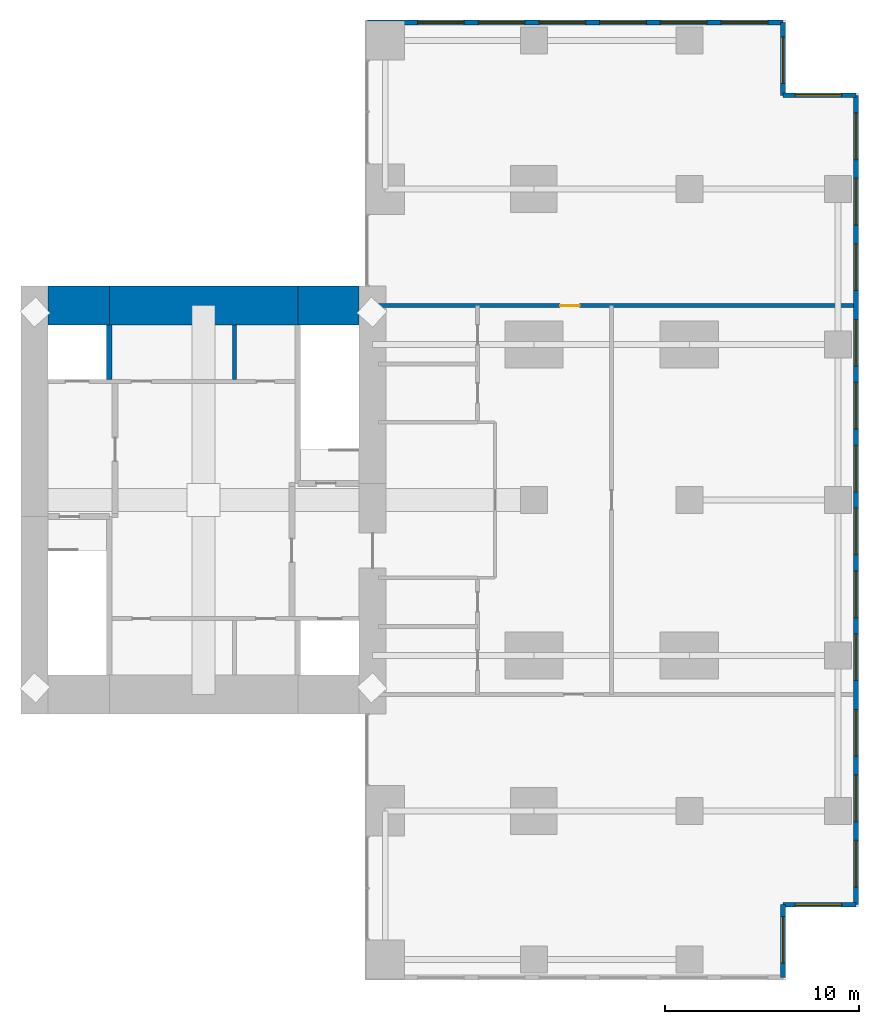
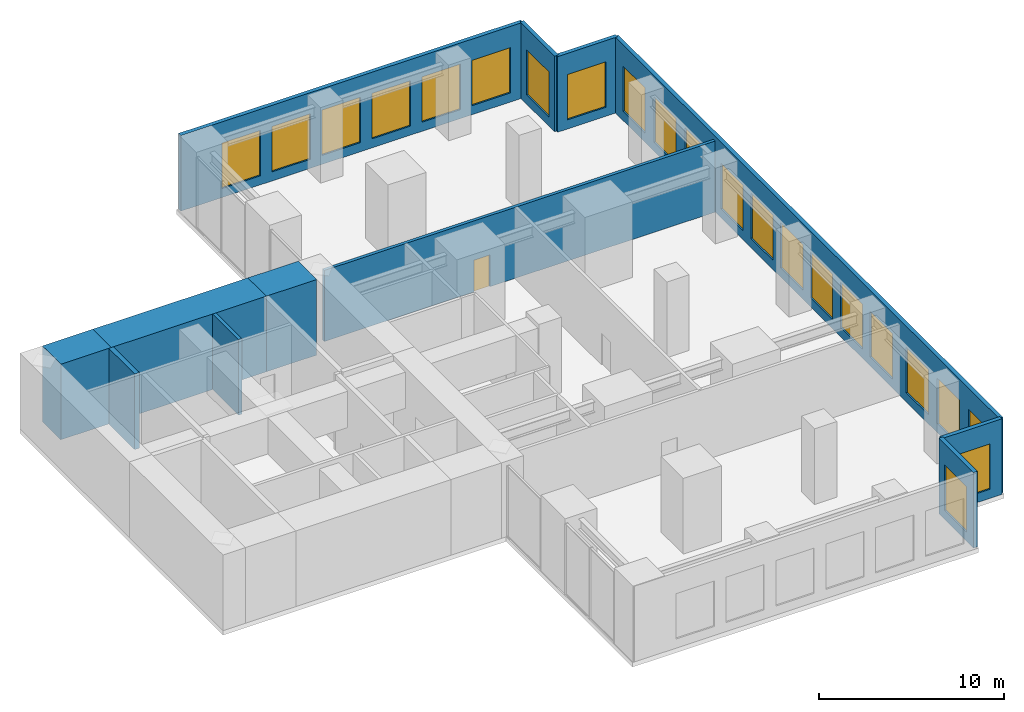
# One storey, part 6 of 7: 22 windows, 12 walls, 1 door, 23 openings.
"""IFC4 building model written with IfcOpenShell, lengths in metres."""

from ifc_helpers import new_model, si_unit, direction, frame, frame_2d, origin, place, context, subcontext, project, spatial, rectangle, extrude, material, layer, layer_set, type_object, element, fill, save


model = new_model("IFC4")

# Units and contexts
model_context = context("Model", 3, precision=1e-05, world=origin(), true_north=direction((0.0, 1.0)))
body_context = subcontext(model_context, "Body", "Model", "MODEL_VIEW")
ifc_project = project(units=[si_unit("LENGTHUNIT", "METRE"), si_unit("AREAUNIT", "SQUARE_METRE"), si_unit("VOLUMEUNIT", "CUBIC_METRE"), si_unit("PLANEANGLEUNIT", "RADIAN"), si_unit("MASSUNIT", "GRAM", prefix="KILO")], contexts=[model_context])

# Site, building, storey
site_placement = place(None, origin())
site = spatial("IfcSite", under=ifc_project, at=site_placement, CompositionType="ELEMENT")
building_placement = place(site_placement, origin())
building = spatial("IfcBuilding", under=site, at=building_placement, Name="Cleftline Residences", CompositionType="ELEMENT")
storey_placement = place(building_placement, frame((0.0, 0.0, 296.60009765625)))
storey = spatial("IfcBuildingStorey", under=building, at=storey_placement, Name="L77", CompositionType="ELEMENT", Elevation=296.60009765625)

# Walls
ifc_material_1 = material(Name="Concrete B70", Category="concrete")
ifc_layer_1 = layer(ifc_material_1, 2.0)
ifc_layer_set_1 = layer_set([ifc_layer_1], Name="CORE WALL 2000")
wall_type_1 = type_object("IfcWallType", Name="CORE WALL 2000", PredefinedType="SHEAR", material=ifc_layer_set_1)
wall_1_placement = place(storey_placement, frame((25.0, 34.0, 0.0), z_axis=(0.0, 0.0, 1.0), x_axis=(1.0, 0.0, 0.0)))
element("IfcWall", 1, at=wall_1_placement, inside=storey, type_object=wall_type_1, Name="Core wall N1", PredefinedType="SHEAR", context=body_context, shape_type="SweptSolid", body=[
    extrude(rectangle(XDim=3.14990234375, YDim=2.0, at=frame_2d((1.574951171875, 0.0))), origin(), (0.0, 0.0, 1.0), 5.0),
])
wall_2_placement = place(storey_placement, frame((28.14990234375, 34.0, 0.0), z_axis=(0.0, 0.0, 1.0), x_axis=(1.0, 0.0, 0.0)))
element("IfcWall", 2, at=wall_2_placement, inside=storey, type_object=wall_type_1, Name="Core wall N2", PredefinedType="SHEAR", context=body_context, shape_type="SweptSolid", body=[
    extrude(rectangle(XDim=9.7001953125, YDim=2.0, at=frame_2d((4.85009765625, 0.0))), origin(), (0.0, 0.0, 1.0), 5.0),
])
wall_3_placement = place(storey_placement, frame((37.85009765625, 34.0, 0.0), z_axis=(0.0, 0.0, 1.0), x_axis=(1.0, 0.0, 0.0)))
element("IfcWall", 3, at=wall_3_placement, inside=storey, type_object=wall_type_1, Name="Core wall N3", PredefinedType="SHEAR", context=body_context, shape_type="SweptSolid", body=[
    extrude(rectangle(XDim=3.14990234375, YDim=2.0, at=frame_2d((1.574951171875, 0.0))), origin(), (0.0, 0.0, 1.0), 5.0),
])
ifc_material_2 = material(Name="Concrete B70", Category="concrete")
ifc_layer_2 = layer(ifc_material_2, 0.300048828125)
ifc_layer_set_2 = layer_set([ifc_layer_2], Name="CORE WALL 300")
wall_type_2 = type_object("IfcWallType", Name="CORE WALL 300", PredefinedType="SHEAR", material=ifc_layer_set_2)
wall_4_placement = place(storey_placement, frame((28.14990234375, 30.199951171875, 0.0), z_axis=(0.0, 0.0, 1.0), x_axis=(0.0, 1.0, 0.0)))
element("IfcWall", 4, at=wall_4_placement, inside=storey, type_object=wall_type_2, Name="Lift shaft wall", PredefinedType="SHEAR", context=body_context, shape_type="SweptSolid", body=[
    extrude(rectangle(XDim=2.800048828125, YDim=0.300048828125, at=frame_2d((1.39990234375, 0.0))), origin(), (0.0, 0.0, 1.0), 5.0),
])

# Wall, opening, window
ifc_material_3 = material(Name="Rendered reinforced concrete blockwork", Category="masonry")
ifc_layer_3 = layer(ifc_material_3, 0.25)
ifc_layer_set_3 = layer_set([ifc_layer_3], Name="EXTERNAL WALL 250")
wall_type_3 = type_object("IfcWallType", Name="EXTERNAL WALL 250", PredefinedType="SOLIDWALL", material=ifc_layer_set_3)
wall_5_placement = place(storey_placement, frame((62.824951171875, -0.574951171875, 0.0), z_axis=(0.0, 0.0, 1.0), x_axis=(0.0, 1.0, 0.0)))
wall_5 = element("IfcWall", 5, at=wall_5_placement, inside=storey, type_object=wall_type_3, Name="External wall", PredefinedType="SOLIDWALL", context=body_context, shape_type="SweptSolid", body=[
    extrude(rectangle(XDim=3.75, YDim=0.25, at=frame_2d((1.875, 0.0))), origin(), (0.0, 0.0, 1.0), 5.0),
])
opening_1_placement = place(wall_5_placement, frame((0.737548828125, 0.0, 0.60009765625)))
opening_1 = element("IfcOpeningElement", 6, at=opening_1_placement, cuts=wall_5, Name="Opening W3", PredefinedType="OPENING", context=body_context, shape_type="SweptSolid", body=[
    extrude(rectangle(XDim=2.39990234375, YDim=3.0, at=frame_2d((1.199951171875, 1.5))), frame((0.0, 0.135009765625, 0.0), z_axis=(0.0, -1.0, 0.0), x_axis=(1.0, 0.0, 0.0)), (0.0, 0.0, 1.0), 0.27001953125),
])
ifc_material_4 = material(Name="Aluminium frame, clear double glazing", Category="aluminium")
window_type = type_object("IfcWindowType", Name="WINDOW 2400X3000", PartitioningType="DOUBLE_PANEL_VERTICAL", PredefinedType="WINDOW", material=ifc_material_4)
window_1_placement = place(opening_1_placement, origin())
window_1 = element("IfcWindow", 7, at=window_1_placement, inside=storey, type_object=window_type, Name="Window", OverallHeight=3.0, OverallWidth=2.39990234375, PartitioningType="SINGLE_PANEL", PredefinedType="WINDOW", context=body_context, shape_type="SweptSolid", body=[
    extrude(rectangle(XDim=2.39990234375, YDim=3.0, at=frame_2d((1.199951171875, 1.5))), frame((0.0, 0.030029296875, 0.0), z_axis=(0.0, -1.0, 0.0), x_axis=(1.0, 0.0, 0.0)), (0.0, 0.0, 1.0), 0.06005859375),
])
fill(opening_1, window_1)

wall_6_placement = place(storey_placement, frame((62.824951171875, 3.175048828125, 0.0), z_axis=(0.0, 0.0, 1.0), x_axis=(1.0, 0.0, 0.0)))
wall_6 = element("IfcWall", 8, at=wall_6_placement, inside=storey, type_object=wall_type_3, Name="External wall", PredefinedType="SOLIDWALL", context=body_context, shape_type="SweptSolid", body=[
    extrude(rectangle(XDim=3.75, YDim=0.25, at=frame_2d((1.875, 0.0))), origin(), (0.0, 0.0, 1.0), 5.0),
])
opening_2_placement = place(wall_6_placement, frame((0.612548828125, 0.0, 0.60009765625)))
opening_2 = element("IfcOpeningElement", 9, at=opening_2_placement, cuts=wall_6, Name="Opening W3", PredefinedType="OPENING", context=body_context, shape_type="SweptSolid", body=[
    extrude(rectangle(XDim=2.39990234375, YDim=3.0, at=frame_2d((1.199951171875, 1.5))), frame((0.0, 0.135009765625, 0.0), z_axis=(0.0, -1.0, 0.0), x_axis=(1.0, 0.0, 0.0)), (0.0, 0.0, 1.0), 0.27001953125),
])
window_2_placement = place(opening_2_placement, origin())
window_2 = element("IfcWindow", 10, at=window_2_placement, inside=storey, type_object=window_type, Name="Window", OverallHeight=3.0, OverallWidth=2.39990234375, PartitioningType="SINGLE_PANEL", PredefinedType="WINDOW", context=body_context, shape_type="SweptSolid", body=[
    extrude(rectangle(XDim=2.39990234375, YDim=3.0, at=frame_2d((1.199951171875, 1.5))), frame((0.0, 0.030029296875, 0.0), z_axis=(0.0, -1.0, 0.0), x_axis=(1.0, 0.0, 0.0)), (0.0, 0.0, 1.0), 0.06005859375),
])
fill(opening_2, window_2)

# Wall, openings, windows
wall_7_placement = place(storey_placement, frame((66.574951171875, 3.175048828125, 0.0), z_axis=(0.0, 0.0, 1.0), x_axis=(0.0, 1.0, 0.0)))
wall_7 = element("IfcWall", 11, at=wall_7_placement, inside=storey, type_object=wall_type_3, Name="External wall", PredefinedType="SOLIDWALL", context=body_context, shape_type="SweptSolid", body=[
    extrude(rectangle(XDim=41.64990234375, YDim=0.25, at=frame_2d((20.824951171875, 0.0))), origin(), (0.0, 0.0, 1.0), 5.0),
])
opening_3_placement = place(wall_7_placement, frame((0.908447265625, 0.0, 0.60009765625)))
opening_3 = element("IfcOpeningElement", 12, at=opening_3_placement, cuts=wall_7, Name="Opening W3", PredefinedType="OPENING", context=body_context, shape_type="SweptSolid", body=[
    extrude(rectangle(XDim=2.39990234375, YDim=3.0, at=frame_2d((1.199951171875, 1.5))), frame((0.0, 0.135009765625, 0.0), z_axis=(0.0, -1.0, 0.0), x_axis=(1.0, 0.0, 0.0)), (0.0, 0.0, 1.0), 0.27001953125),
])
opening_4_placement = place(wall_7_placement, frame((4.27490234375, 0.0, 0.60009765625)))
opening_4 = element("IfcOpeningElement", 13, at=opening_4_placement, cuts=wall_7, Name="Opening W3", PredefinedType="OPENING", context=body_context, shape_type="SweptSolid", body=[
    extrude(rectangle(XDim=2.39990234375, YDim=3.0, at=frame_2d((1.199951171875, 1.5))), frame((0.0, 0.135009765625, 0.0), z_axis=(0.0, -1.0, 0.0), x_axis=(1.0, 0.0, 0.0)), (0.0, 0.0, 1.0), 0.27001953125),
])
opening_5_placement = place(wall_7_placement, frame((7.6416015625, 0.0, 0.60009765625)))
opening_5 = element("IfcOpeningElement", 14, at=opening_5_placement, cuts=wall_7, Name="Opening W3", PredefinedType="OPENING", context=body_context, shape_type="SweptSolid", body=[
    extrude(rectangle(XDim=2.39990234375, YDim=3.0, at=frame_2d((1.199951171875, 1.5))), frame((0.0, 0.135009765625, 0.0), z_axis=(0.0, -1.0, 0.0), x_axis=(1.0, 0.0, 0.0)), (0.0, 0.0, 1.0), 0.27001953125),
])
opening_6_placement = place(wall_7_placement, frame((11.541748046875, 0.0, 0.60009765625)))
opening_6 = element("IfcOpeningElement", 15, at=opening_6_placement, cuts=wall_7, Name="Opening W3", PredefinedType="OPENING", context=body_context, shape_type="SweptSolid", body=[
    extrude(rectangle(XDim=2.39990234375, YDim=3.0, at=frame_2d((1.199951171875, 1.5))), frame((0.0, 0.135009765625, 0.0), z_axis=(0.0, -1.0, 0.0), x_axis=(1.0, 0.0, 0.0)), (0.0, 0.0, 1.0), 0.27001953125),
])
opening_7_placement = place(wall_7_placement, frame((14.77490234375, 0.0, 0.60009765625)))
opening_7 = element("IfcOpeningElement", 16, at=opening_7_placement, cuts=wall_7, Name="Opening W3", PredefinedType="OPENING", context=body_context, shape_type="SweptSolid", body=[
    extrude(rectangle(XDim=2.39990234375, YDim=3.0, at=frame_2d((1.199951171875, 1.5))), frame((0.0, 0.135009765625, 0.0), z_axis=(0.0, -1.0, 0.0), x_axis=(1.0, 0.0, 0.0)), (0.0, 0.0, 1.0), 0.27001953125),
])
opening_8_placement = place(wall_7_placement, frame((18.00830078125, 0.0, 0.60009765625)))
opening_8 = element("IfcOpeningElement", 17, at=opening_8_placement, cuts=wall_7, Name="Opening W3", PredefinedType="OPENING", context=body_context, shape_type="SweptSolid", body=[
    extrude(rectangle(XDim=2.39990234375, YDim=3.0, at=frame_2d((1.199951171875, 1.5))), frame((0.0, 0.135009765625, 0.0), z_axis=(0.0, -1.0, 0.0), x_axis=(1.0, 0.0, 0.0)), (0.0, 0.0, 1.0), 0.27001953125),
])
opening_9_placement = place(wall_7_placement, frame((21.24169921875, 0.0, 0.60009765625)))
opening_9 = element("IfcOpeningElement", 18, at=opening_9_placement, cuts=wall_7, Name="Opening W3", PredefinedType="OPENING", context=body_context, shape_type="SweptSolid", body=[
    extrude(rectangle(XDim=2.39990234375, YDim=3.0, at=frame_2d((1.199951171875, 1.5))), frame((0.0, 0.135009765625, 0.0), z_axis=(0.0, -1.0, 0.0), x_axis=(1.0, 0.0, 0.0)), (0.0, 0.0, 1.0), 0.27001953125),
])
opening_10_placement = place(wall_7_placement, frame((24.47509765625, 0.0, 0.60009765625)))
opening_10 = element("IfcOpeningElement", 19, at=opening_10_placement, cuts=wall_7, Name="Opening W3", PredefinedType="OPENING", context=body_context, shape_type="SweptSolid", body=[
    extrude(rectangle(XDim=2.39990234375, YDim=3.0, at=frame_2d((1.199951171875, 1.5))), frame((0.0, 0.135009765625, 0.0), z_axis=(0.0, -1.0, 0.0), x_axis=(1.0, 0.0, 0.0)), (0.0, 0.0, 1.0), 0.27001953125),
])
opening_11_placement = place(wall_7_placement, frame((27.708251953125, 0.0, 0.60009765625)))
opening_11 = element("IfcOpeningElement", 20, at=opening_11_placement, cuts=wall_7, Name="Opening W3", PredefinedType="OPENING", context=body_context, shape_type="SweptSolid", body=[
    extrude(rectangle(XDim=2.39990234375, YDim=3.0, at=frame_2d((1.199951171875, 1.5))), frame((0.0, 0.135009765625, 0.0), z_axis=(0.0, -1.0, 0.0), x_axis=(1.0, 0.0, 0.0)), (0.0, 0.0, 1.0), 0.27001953125),
])
opening_12_placement = place(wall_7_placement, frame((31.6083984375, 0.0, 0.60009765625)))
opening_12 = element("IfcOpeningElement", 21, at=opening_12_placement, cuts=wall_7, Name="Opening W3", PredefinedType="OPENING", context=body_context, shape_type="SweptSolid", body=[
    extrude(rectangle(XDim=2.39990234375, YDim=3.0, at=frame_2d((1.199951171875, 1.5))), frame((0.0, 0.135009765625, 0.0), z_axis=(0.0, -1.0, 0.0), x_axis=(1.0, 0.0, 0.0)), (0.0, 0.0, 1.0), 0.27001953125),
])
opening_13_placement = place(wall_7_placement, frame((34.97509765625, 0.0, 0.60009765625)))
opening_13 = element("IfcOpeningElement", 22, at=opening_13_placement, cuts=wall_7, Name="Opening W3", PredefinedType="OPENING", context=body_context, shape_type="SweptSolid", body=[
    extrude(rectangle(XDim=2.39990234375, YDim=3.0, at=frame_2d((1.199951171875, 1.5))), frame((0.0, 0.135009765625, 0.0), z_axis=(0.0, -1.0, 0.0), x_axis=(1.0, 0.0, 0.0)), (0.0, 0.0, 1.0), 0.27001953125),
])
opening_14_placement = place(wall_7_placement, frame((38.341552734375, 0.0, 0.60009765625)))
opening_14 = element("IfcOpeningElement", 23, at=opening_14_placement, cuts=wall_7, Name="Opening W3", PredefinedType="OPENING", context=body_context, shape_type="SweptSolid", body=[
    extrude(rectangle(XDim=2.39990234375, YDim=3.0, at=frame_2d((1.199951171875, 1.5))), frame((0.0, 0.135009765625, 0.0), z_axis=(0.0, -1.0, 0.0), x_axis=(1.0, 0.0, 0.0)), (0.0, 0.0, 1.0), 0.27001953125),
])
window_3_placement = place(opening_3_placement, origin())
window_3 = element("IfcWindow", 24, at=window_3_placement, inside=storey, type_object=window_type, Name="Window", OverallHeight=3.0, OverallWidth=2.39990234375, PartitioningType="SINGLE_PANEL", PredefinedType="WINDOW", context=body_context, shape_type="SweptSolid", body=[
    extrude(rectangle(XDim=2.39990234375, YDim=3.0, at=frame_2d((1.199951171875, 1.5))), frame((0.0, 0.030029296875, 0.0), z_axis=(0.0, -1.0, 0.0), x_axis=(1.0, 0.0, 0.0)), (0.0, 0.0, 1.0), 0.06005859375),
])
fill(opening_3, window_3)
window_4_placement = place(opening_4_placement, origin())
window_4 = element("IfcWindow", 25, at=window_4_placement, inside=storey, type_object=window_type, Name="Window", OverallHeight=3.0, OverallWidth=2.39990234375, PartitioningType="SINGLE_PANEL", PredefinedType="WINDOW", context=body_context, shape_type="SweptSolid", body=[
    extrude(rectangle(XDim=2.39990234375, YDim=3.0, at=frame_2d((1.199951171875, 1.5))), frame((0.0, 0.030029296875, 0.0), z_axis=(0.0, -1.0, 0.0), x_axis=(1.0, 0.0, 0.0)), (0.0, 0.0, 1.0), 0.06005859375),
])
fill(opening_4, window_4)
window_5_placement = place(opening_5_placement, origin())
window_5 = element("IfcWindow", 26, at=window_5_placement, inside=storey, type_object=window_type, Name="Window", OverallHeight=3.0, OverallWidth=2.39990234375, PartitioningType="SINGLE_PANEL", PredefinedType="WINDOW", context=body_context, shape_type="SweptSolid", body=[
    extrude(rectangle(XDim=2.39990234375, YDim=3.0, at=frame_2d((1.199951171875, 1.5))), frame((0.0, 0.030029296875, 0.0), z_axis=(0.0, -1.0, 0.0), x_axis=(1.0, 0.0, 0.0)), (0.0, 0.0, 1.0), 0.06005859375),
])
fill(opening_5, window_5)
window_6_placement = place(opening_6_placement, origin())
window_6 = element("IfcWindow", 27, at=window_6_placement, inside=storey, type_object=window_type, Name="Window", OverallHeight=3.0, OverallWidth=2.39990234375, PartitioningType="SINGLE_PANEL", PredefinedType="WINDOW", context=body_context, shape_type="SweptSolid", body=[
    extrude(rectangle(XDim=2.39990234375, YDim=3.0, at=frame_2d((1.199951171875, 1.5))), frame((0.0, 0.030029296875, 0.0), z_axis=(0.0, -1.0, 0.0), x_axis=(1.0, 0.0, 0.0)), (0.0, 0.0, 1.0), 0.06005859375),
])
fill(opening_6, window_6)
window_7_placement = place(opening_7_placement, origin())
window_7 = element("IfcWindow", 28, at=window_7_placement, inside=storey, type_object=window_type, Name="Window", OverallHeight=3.0, OverallWidth=2.39990234375, PartitioningType="SINGLE_PANEL", PredefinedType="WINDOW", context=body_context, shape_type="SweptSolid", body=[
    extrude(rectangle(XDim=2.39990234375, YDim=3.0, at=frame_2d((1.199951171875, 1.5))), frame((0.0, 0.030029296875, 0.0), z_axis=(0.0, -1.0, 0.0), x_axis=(1.0, 0.0, 0.0)), (0.0, 0.0, 1.0), 0.06005859375),
])
fill(opening_7, window_7)
window_8_placement = place(opening_8_placement, origin())
window_8 = element("IfcWindow", 29, at=window_8_placement, inside=storey, type_object=window_type, Name="Window", OverallHeight=3.0, OverallWidth=2.39990234375, PartitioningType="SINGLE_PANEL", PredefinedType="WINDOW", context=body_context, shape_type="SweptSolid", body=[
    extrude(rectangle(XDim=2.39990234375, YDim=3.0, at=frame_2d((1.199951171875, 1.5))), frame((0.0, 0.030029296875, 0.0), z_axis=(0.0, -1.0, 0.0), x_axis=(1.0, 0.0, 0.0)), (0.0, 0.0, 1.0), 0.06005859375),
])
fill(opening_8, window_8)
window_9_placement = place(opening_9_placement, origin())
window_9 = element("IfcWindow", 30, at=window_9_placement, inside=storey, type_object=window_type, Name="Window", OverallHeight=3.0, OverallWidth=2.39990234375, PartitioningType="SINGLE_PANEL", PredefinedType="WINDOW", context=body_context, shape_type="SweptSolid", body=[
    extrude(rectangle(XDim=2.39990234375, YDim=3.0, at=frame_2d((1.199951171875, 1.5))), frame((0.0, 0.030029296875, 0.0), z_axis=(0.0, -1.0, 0.0), x_axis=(1.0, 0.0, 0.0)), (0.0, 0.0, 1.0), 0.06005859375),
])
fill(opening_9, window_9)
window_10_placement = place(opening_10_placement, origin())
window_10 = element("IfcWindow", 31, at=window_10_placement, inside=storey, type_object=window_type, Name="Window", OverallHeight=3.0, OverallWidth=2.39990234375, PartitioningType="SINGLE_PANEL", PredefinedType="WINDOW", context=body_context, shape_type="SweptSolid", body=[
    extrude(rectangle(XDim=2.39990234375, YDim=3.0, at=frame_2d((1.199951171875, 1.5))), frame((0.0, 0.030029296875, 0.0), z_axis=(0.0, -1.0, 0.0), x_axis=(1.0, 0.0, 0.0)), (0.0, 0.0, 1.0), 0.06005859375),
])
fill(opening_10, window_10)
window_11_placement = place(opening_11_placement, origin())
window_11 = element("IfcWindow", 32, at=window_11_placement, inside=storey, type_object=window_type, Name="Window", OverallHeight=3.0, OverallWidth=2.39990234375, PartitioningType="SINGLE_PANEL", PredefinedType="WINDOW", context=body_context, shape_type="SweptSolid", body=[
    extrude(rectangle(XDim=2.39990234375, YDim=3.0, at=frame_2d((1.199951171875, 1.5))), frame((0.0, 0.030029296875, 0.0), z_axis=(0.0, -1.0, 0.0), x_axis=(1.0, 0.0, 0.0)), (0.0, 0.0, 1.0), 0.06005859375),
])
fill(opening_11, window_11)
window_12_placement = place(opening_12_placement, origin())
window_12 = element("IfcWindow", 33, at=window_12_placement, inside=storey, type_object=window_type, Name="Window", OverallHeight=3.0, OverallWidth=2.39990234375, PartitioningType="SINGLE_PANEL", PredefinedType="WINDOW", context=body_context, shape_type="SweptSolid", body=[
    extrude(rectangle(XDim=2.39990234375, YDim=3.0, at=frame_2d((1.199951171875, 1.5))), frame((0.0, 0.030029296875, 0.0), z_axis=(0.0, -1.0, 0.0), x_axis=(1.0, 0.0, 0.0)), (0.0, 0.0, 1.0), 0.06005859375),
])
fill(opening_12, window_12)
window_13_placement = place(opening_13_placement, origin())
window_13 = element("IfcWindow", 34, at=window_13_placement, inside=storey, type_object=window_type, Name="Window", OverallHeight=3.0, OverallWidth=2.39990234375, PartitioningType="SINGLE_PANEL", PredefinedType="WINDOW", context=body_context, shape_type="SweptSolid", body=[
    extrude(rectangle(XDim=2.39990234375, YDim=3.0, at=frame_2d((1.199951171875, 1.5))), frame((0.0, 0.030029296875, 0.0), z_axis=(0.0, -1.0, 0.0), x_axis=(1.0, 0.0, 0.0)), (0.0, 0.0, 1.0), 0.06005859375),
])
fill(opening_13, window_13)
window_14_placement = place(opening_14_placement, origin())
window_14 = element("IfcWindow", 35, at=window_14_placement, inside=storey, type_object=window_type, Name="Window", OverallHeight=3.0, OverallWidth=2.39990234375, PartitioningType="SINGLE_PANEL", PredefinedType="WINDOW", context=body_context, shape_type="SweptSolid", body=[
    extrude(rectangle(XDim=2.39990234375, YDim=3.0, at=frame_2d((1.199951171875, 1.5))), frame((0.0, 0.030029296875, 0.0), z_axis=(0.0, -1.0, 0.0), x_axis=(1.0, 0.0, 0.0)), (0.0, 0.0, 1.0), 0.06005859375),
])
fill(opening_14, window_14)

# Wall, opening, window
wall_8_placement = place(storey_placement, frame((66.574951171875, 44.824951171875, 0.0), z_axis=(0.0, 0.0, 1.0), x_axis=(-1.0, 0.0, 0.0)))
wall_8 = element("IfcWall", 36, at=wall_8_placement, inside=storey, type_object=wall_type_3, Name="External wall", PredefinedType="SOLIDWALL", context=body_context, shape_type="SweptSolid", body=[
    extrude(rectangle(XDim=3.75, YDim=0.25, at=frame_2d((1.875, 0.0))), origin(), (0.0, 0.0, 1.0), 5.0),
])
opening_15_placement = place(wall_8_placement, frame((0.737548828125, 0.0, 0.60009765625)))
opening_15 = element("IfcOpeningElement", 37, at=opening_15_placement, cuts=wall_8, Name="Opening W3", PredefinedType="OPENING", context=body_context, shape_type="SweptSolid", body=[
    extrude(rectangle(XDim=2.39990234375, YDim=3.0, at=frame_2d((1.199951171875, 1.5))), frame((0.0, 0.135009765625, 0.0), z_axis=(0.0, -1.0, 0.0), x_axis=(1.0, 0.0, 0.0)), (0.0, 0.0, 1.0), 0.27001953125),
])
window_15_placement = place(opening_15_placement, origin())
window_15 = element("IfcWindow", 38, at=window_15_placement, inside=storey, type_object=window_type, Name="Window", OverallHeight=3.0, OverallWidth=2.39990234375, PartitioningType="SINGLE_PANEL", PredefinedType="WINDOW", context=body_context, shape_type="SweptSolid", body=[
    extrude(rectangle(XDim=2.39990234375, YDim=3.0, at=frame_2d((1.199951171875, 1.5))), frame((0.0, 0.030029296875, 0.0), z_axis=(0.0, -1.0, 0.0), x_axis=(1.0, 0.0, 0.0)), (0.0, 0.0, 1.0), 0.06005859375),
])
fill(opening_15, window_15)

wall_9_placement = place(storey_placement, frame((62.824951171875, 44.824951171875, 0.0), z_axis=(0.0, 0.0, 1.0), x_axis=(0.0, 1.0, 0.0)))
wall_9 = element("IfcWall", 39, at=wall_9_placement, inside=storey, type_object=wall_type_3, Name="External wall", PredefinedType="SOLIDWALL", context=body_context, shape_type="SweptSolid", body=[
    extrude(rectangle(XDim=3.75, YDim=0.25, at=frame_2d((1.875, 0.0))), origin(), (0.0, 0.0, 1.0), 5.0),
])
opening_16_placement = place(wall_9_placement, frame((0.612548828125, 0.0, 0.60009765625)))
opening_16 = element("IfcOpeningElement", 40, at=opening_16_placement, cuts=wall_9, Name="Opening W3", PredefinedType="OPENING", context=body_context, shape_type="SweptSolid", body=[
    extrude(rectangle(XDim=2.39990234375, YDim=3.0, at=frame_2d((1.199951171875, 1.5))), frame((0.0, 0.135009765625, 0.0), z_axis=(0.0, -1.0, 0.0), x_axis=(1.0, 0.0, 0.0)), (0.0, 0.0, 1.0), 0.27001953125),
])
window_16_placement = place(opening_16_placement, origin())
window_16 = element("IfcWindow", 41, at=window_16_placement, inside=storey, type_object=window_type, Name="Window", OverallHeight=3.0, OverallWidth=2.39990234375, PartitioningType="SINGLE_PANEL", PredefinedType="WINDOW", context=body_context, shape_type="SweptSolid", body=[
    extrude(rectangle(XDim=2.39990234375, YDim=3.0, at=frame_2d((1.199951171875, 1.5))), frame((0.0, 0.030029296875, 0.0), z_axis=(0.0, -1.0, 0.0), x_axis=(1.0, 0.0, 0.0)), (0.0, 0.0, 1.0), 0.06005859375),
])
fill(opening_16, window_16)

# Wall, openings, windows
wall_10_placement = place(storey_placement, frame((62.824951171875, 48.574951171875, 0.0), z_axis=(0.0, 0.0, 1.0), x_axis=(-1.0, 0.0, 0.0)))
wall_10 = element("IfcWall", 42, at=wall_10_placement, inside=storey, type_object=wall_type_3, Name="External wall", PredefinedType="SOLIDWALL", context=body_context, shape_type="SweptSolid", body=[
    extrude(rectangle(XDim=21.39990234375, YDim=0.25, at=frame_2d((10.699951171875, 0.0))), origin(), (0.0, 0.0, 1.0), 5.0),
])
opening_17_placement = place(wall_10_placement, frame((0.78759765625, 0.0, 0.60009765625)))
opening_17 = element("IfcOpeningElement", 43, at=opening_17_placement, cuts=wall_10, Name="Opening W3", PredefinedType="OPENING", context=body_context, shape_type="SweptSolid", body=[
    extrude(rectangle(XDim=2.39990234375, YDim=3.0, at=frame_2d((1.199951171875, 1.5))), frame((0.0, 0.135009765625, 0.0), z_axis=(0.0, -1.0, 0.0), x_axis=(1.0, 0.0, 0.0)), (0.0, 0.0, 1.0), 0.27001953125),
])
opening_18_placement = place(wall_10_placement, frame((3.91259765625, 0.0, 0.60009765625)))
opening_18 = element("IfcOpeningElement", 44, at=opening_18_placement, cuts=wall_10, Name="Opening W3", PredefinedType="OPENING", context=body_context, shape_type="SweptSolid", body=[
    extrude(rectangle(XDim=2.39990234375, YDim=3.0, at=frame_2d((1.199951171875, 1.5))), frame((0.0, 0.135009765625, 0.0), z_axis=(0.0, -1.0, 0.0), x_axis=(1.0, 0.0, 0.0)), (0.0, 0.0, 1.0), 0.27001953125),
])
opening_19_placement = place(wall_10_placement, frame((7.03759765625, 0.0, 0.60009765625)))
opening_19 = element("IfcOpeningElement", 45, at=opening_19_placement, cuts=wall_10, Name="Opening W3", PredefinedType="OPENING", context=body_context, shape_type="SweptSolid", body=[
    extrude(rectangle(XDim=2.39990234375, YDim=3.0, at=frame_2d((1.199951171875, 1.5))), frame((0.0, 0.135009765625, 0.0), z_axis=(0.0, -1.0, 0.0), x_axis=(1.0, 0.0, 0.0)), (0.0, 0.0, 1.0), 0.27001953125),
])
opening_20_placement = place(wall_10_placement, frame((10.16259765625, 0.0, 0.60009765625)))
opening_20 = element("IfcOpeningElement", 46, at=opening_20_placement, cuts=wall_10, Name="Opening W3", PredefinedType="OPENING", context=body_context, shape_type="SweptSolid", body=[
    extrude(rectangle(XDim=2.39990234375, YDim=3.0, at=frame_2d((1.199951171875, 1.5))), frame((0.0, 0.135009765625, 0.0), z_axis=(0.0, -1.0, 0.0), x_axis=(1.0, 0.0, 0.0)), (0.0, 0.0, 1.0), 0.27001953125),
])
opening_21_placement = place(wall_10_placement, frame((13.28759765625, 0.0, 0.60009765625)))
opening_21 = element("IfcOpeningElement", 47, at=opening_21_placement, cuts=wall_10, Name="Opening W3", PredefinedType="OPENING", context=body_context, shape_type="SweptSolid", body=[
    extrude(rectangle(XDim=2.39990234375, YDim=3.0, at=frame_2d((1.199951171875, 1.5))), frame((0.0, 0.135009765625, 0.0), z_axis=(0.0, -1.0, 0.0), x_axis=(1.0, 0.0, 0.0)), (0.0, 0.0, 1.0), 0.27001953125),
])
opening_22_placement = place(wall_10_placement, frame((16.41259765625, 0.0, 0.60009765625)))
opening_22 = element("IfcOpeningElement", 48, at=opening_22_placement, cuts=wall_10, Name="Opening W3", PredefinedType="OPENING", context=body_context, shape_type="SweptSolid", body=[
    extrude(rectangle(XDim=2.39990234375, YDim=3.0, at=frame_2d((1.199951171875, 1.5))), frame((0.0, 0.135009765625, 0.0), z_axis=(0.0, -1.0, 0.0), x_axis=(1.0, 0.0, 0.0)), (0.0, 0.0, 1.0), 0.27001953125),
])
window_17_placement = place(opening_17_placement, origin())
window_17 = element("IfcWindow", 49, at=window_17_placement, inside=storey, type_object=window_type, Name="Window", OverallHeight=3.0, OverallWidth=2.39990234375, PartitioningType="SINGLE_PANEL", PredefinedType="WINDOW", context=body_context, shape_type="SweptSolid", body=[
    extrude(rectangle(XDim=2.39990234375, YDim=3.0, at=frame_2d((1.199951171875, 1.5))), frame((0.0, 0.030029296875, 0.0), z_axis=(0.0, -1.0, 0.0), x_axis=(1.0, 0.0, 0.0)), (0.0, 0.0, 1.0), 0.06005859375),
])
fill(opening_17, window_17)
window_18_placement = place(opening_18_placement, origin())
window_18 = element("IfcWindow", 50, at=window_18_placement, inside=storey, type_object=window_type, Name="Window", OverallHeight=3.0, OverallWidth=2.39990234375, PartitioningType="SINGLE_PANEL", PredefinedType="WINDOW", context=body_context, shape_type="SweptSolid", body=[
    extrude(rectangle(XDim=2.39990234375, YDim=3.0, at=frame_2d((1.199951171875, 1.5))), frame((0.0, 0.030029296875, 0.0), z_axis=(0.0, -1.0, 0.0), x_axis=(1.0, 0.0, 0.0)), (0.0, 0.0, 1.0), 0.06005859375),
])
fill(opening_18, window_18)
window_19_placement = place(opening_19_placement, origin())
window_19 = element("IfcWindow", 51, at=window_19_placement, inside=storey, type_object=window_type, Name="Window", OverallHeight=3.0, OverallWidth=2.39990234375, PartitioningType="SINGLE_PANEL", PredefinedType="WINDOW", context=body_context, shape_type="SweptSolid", body=[
    extrude(rectangle(XDim=2.39990234375, YDim=3.0, at=frame_2d((1.199951171875, 1.5))), frame((0.0, 0.030029296875, 0.0), z_axis=(0.0, -1.0, 0.0), x_axis=(1.0, 0.0, 0.0)), (0.0, 0.0, 1.0), 0.06005859375),
])
fill(opening_19, window_19)
window_20_placement = place(opening_20_placement, origin())
window_20 = element("IfcWindow", 52, at=window_20_placement, inside=storey, type_object=window_type, Name="Window", OverallHeight=3.0, OverallWidth=2.39990234375, PartitioningType="SINGLE_PANEL", PredefinedType="WINDOW", context=body_context, shape_type="SweptSolid", body=[
    extrude(rectangle(XDim=2.39990234375, YDim=3.0, at=frame_2d((1.199951171875, 1.5))), frame((0.0, 0.030029296875, 0.0), z_axis=(0.0, -1.0, 0.0), x_axis=(1.0, 0.0, 0.0)), (0.0, 0.0, 1.0), 0.06005859375),
])
fill(opening_20, window_20)
window_21_placement = place(opening_21_placement, origin())
window_21 = element("IfcWindow", 53, at=window_21_placement, inside=storey, type_object=window_type, Name="Window", OverallHeight=3.0, OverallWidth=2.39990234375, PartitioningType="SINGLE_PANEL", PredefinedType="WINDOW", context=body_context, shape_type="SweptSolid", body=[
    extrude(rectangle(XDim=2.39990234375, YDim=3.0, at=frame_2d((1.199951171875, 1.5))), frame((0.0, 0.030029296875, 0.0), z_axis=(0.0, -1.0, 0.0), x_axis=(1.0, 0.0, 0.0)), (0.0, 0.0, 1.0), 0.06005859375),
])
fill(opening_21, window_21)
window_22_placement = place(opening_22_placement, origin())
window_22 = element("IfcWindow", 54, at=window_22_placement, inside=storey, type_object=window_type, Name="Window", OverallHeight=3.0, OverallWidth=2.39990234375, PartitioningType="SINGLE_PANEL", PredefinedType="WINDOW", context=body_context, shape_type="SweptSolid", body=[
    extrude(rectangle(XDim=2.39990234375, YDim=3.0, at=frame_2d((1.199951171875, 1.5))), frame((0.0, 0.030029296875, 0.0), z_axis=(0.0, -1.0, 0.0), x_axis=(1.0, 0.0, 0.0)), (0.0, 0.0, 1.0), 0.06005859375),
])
fill(opening_22, window_22)

# Wall, opening, door
ifc_material_5 = material(Name="Concrete blockwork, fire rated", Category="masonry")
ifc_layer_4 = layer(ifc_material_5, 0.199951171875)
ifc_layer_set_4 = layer_set([ifc_layer_4], Name="FIRE WALL 200")
wall_type_4 = type_object("IfcWallType", Name="FIRE WALL 200", PredefinedType="PARTITIONING", material=ifc_layer_set_4)
wall_11_placement = place(storey_placement, frame((42.0, 34.0, 0.0), z_axis=(0.0, 0.0, 1.0), x_axis=(1.0, 0.0, 0.0)))
wall_11 = element("IfcWall", 55, at=wall_11_placement, inside=storey, type_object=wall_type_4, Name="Fire separating wall", PredefinedType="PARTITIONING", context=body_context, shape_type="SweptSolid", body=[
    extrude(rectangle(XDim=24.449951171875, YDim=0.199951171875, at=frame_2d((12.22509765625, 0.0))), origin(), (0.0, 0.0, 1.0), 4.699951171875),
])
opening_23_placement = place(wall_11_placement, frame((9.35009765625, 0.0, 0.0)))
opening_23 = element("IfcOpeningElement", 56, at=opening_23_placement, cuts=wall_11, Name="Opening D2F60", PredefinedType="OPENING", context=body_context, shape_type="SweptSolid", body=[
    extrude(rectangle(XDim=1.0, YDim=2.10009765625, at=frame_2d((0.5, 1.050048828125))), frame((0.0, 0.10986328125, 0.0), z_axis=(0.0, -1.0, 0.0), x_axis=(1.0, 0.0, 0.0)), (0.0, 0.0, 1.0), 0.219970703125),
])
ifc_material_6 = material(Name="Timber veneer on solid core", Category="wood")
door_type = type_object("IfcDoorType", Name="DOOR 1000X2100 EI 60", OperationType="SINGLE_SWING_LEFT", PredefinedType="DOOR", material=ifc_material_6)
door_placement = place(opening_23_placement, origin())
door = element("IfcDoor", 57, at=door_placement, inside=storey, type_object=door_type, Name="Door to cooling plant room", OperationType="SINGLE_SWING_RIGHT", OverallHeight=2.10009765625, OverallWidth=1.0, PredefinedType="DOOR", context=body_context, shape_type="SweptSolid", body=[
    extrude(rectangle(XDim=1.0, YDim=2.10009765625, at=frame_2d((0.5, 1.050048828125))), frame((0.0, 0.02490234375, 0.0), z_axis=(0.0, -1.0, 0.0), x_axis=(1.0, 0.0, 0.0)), (0.0, 0.0, 1.0), 0.050048828125),
])
fill(opening_23, door)

# Wall
ifc_material_7 = material(Name="Concrete blockwork, fire rated", Category="masonry")
ifc_layer_5 = layer(ifc_material_7, 0.199951171875)
ifc_layer_set_5 = layer_set([ifc_layer_5], Name="SHAFT WALL 200")
wall_type_5 = type_object("IfcWallType", Name="SHAFT WALL 200", PredefinedType="PARTITIONING", material=ifc_layer_set_5)
wall_12_placement = place(storey_placement, frame((34.60009765625, 30.199951171875, 0.0), z_axis=(0.0, 0.0, 1.0), x_axis=(0.0, 1.0, 0.0)))
element("IfcWall", 58, at=wall_12_placement, inside=storey, type_object=wall_type_5, Name="Core room wall", PredefinedType="PARTITIONING", context=body_context, shape_type="SweptSolid", body=[
    extrude(rectangle(XDim=2.800048828125, YDim=0.199951171875, at=frame_2d((1.39990234375, 0.0))), origin(), (0.0, 0.0, 1.0), 5.0),
])

save(model, "model.ifc")
